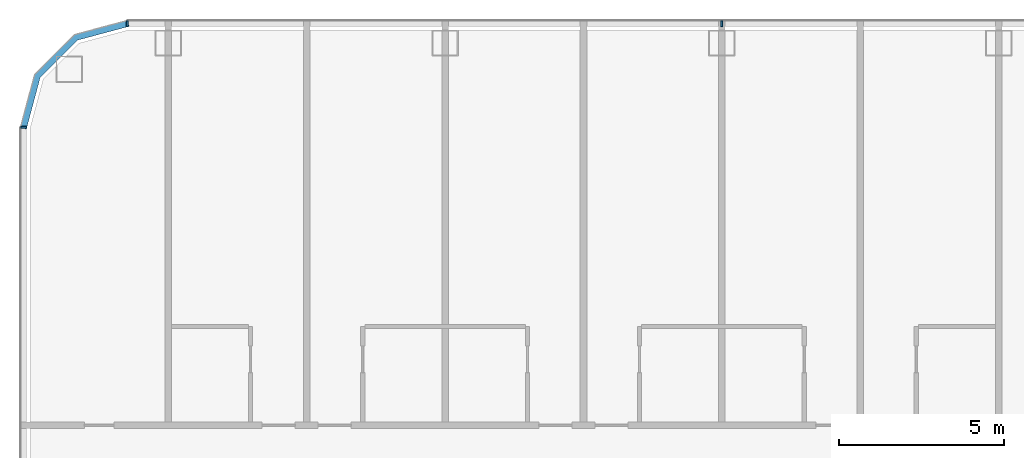
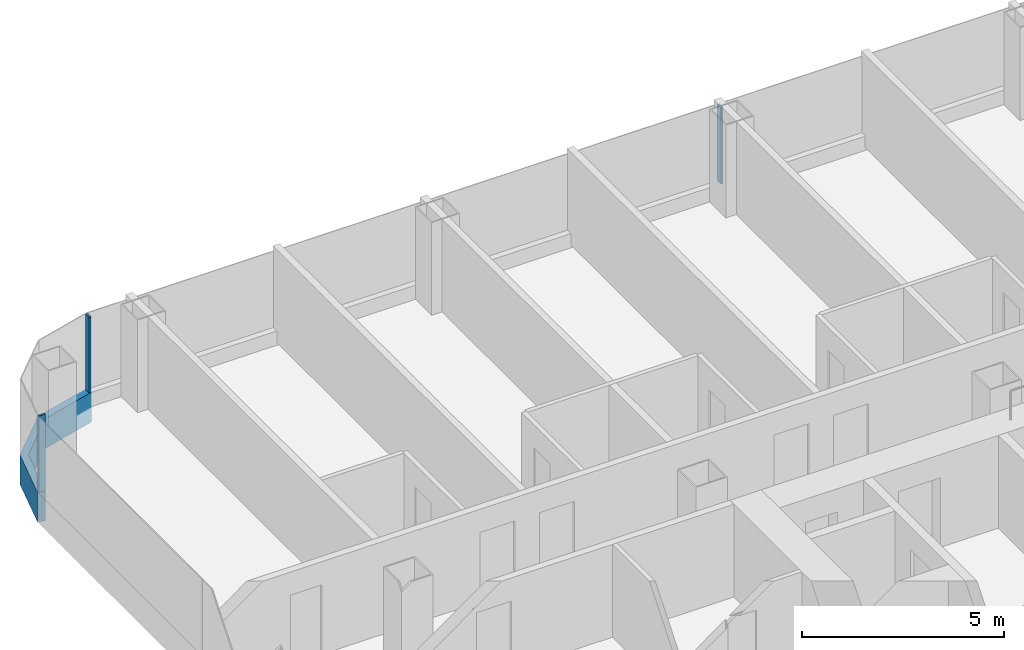
# One storey, part 7 of 29: 4 members, 3 elements without a shape of their own.
"""IFC4 building model written with IfcOpenShell, lengths in metres."""

import ifcopenshell
import ifcopenshell.guid

model = None  # the IFC model being written
_history = None  # IfcOwnerHistory: only IFC2X3 demands one
_inside = {}  # id of a spatial element -> (the spatial element, [elements in it])
_under = {}  # id of a project, library or spatial element -> (it, [spatial elements below it])
_declared = {}  # id of a project -> (the project, [libraries it declares])
_typed = {}  # id of a type object -> (the type object, [elements of that type])
_made_of = {}  # id of a material, layer set ... -> (it, [elements and type objects made of it])


def new_model(schema):
    """Start an empty IFC model of exactly this schema.

    Asked for "IFC4X3", IfcOpenShell would pick the latest addendum, in which some entities
    have other attributes; the version numbers below select the first issue.
    IFC2X3 requires an IfcOwnerHistory on every rooted entity: one is made here for all.
    """
    global model, _history
    if schema == "IFC4X3":
        model = ifcopenshell.file(schema_version=(4, 3, 0, 0))
    else:
        model = ifcopenshell.file(schema=schema)
    _inside.clear()
    _under.clear()
    _declared.clear()
    _typed.clear()
    _made_of.clear()
    _history = None
    if model.schema == "IFC2X3":
        org = make("IfcOrganization", Name="unknown")
        user = make(
            "IfcPersonAndOrganization",
            ThePerson=make("IfcPerson", FamilyName="unknown"),
            TheOrganization=org,
        )
        app = make(
            "IfcApplication",
            ApplicationDeveloper=org,
            Version="unknown",
            ApplicationFullName="unknown",
            ApplicationIdentifier="unknown",
        )
        _history = make(
            "IfcOwnerHistory",
            OwningUser=user,
            OwningApplication=app,
            ChangeAction="ADDED",
            CreationDate=0,
        )
    return model


def make(cls, **values):
    """One entity of the class cls with the attributes given. An attribute that is None is left unset."""
    return model.create_entity(
        cls, **{name: value for name, value in values.items() if value is not None}
    )


def rooted(cls, **values):
    """An entity with a GlobalId (a new one), such as an element, a storey or a relation."""
    return make(cls, GlobalId=ifcopenshell.guid.new(), OwnerHistory=_history, **values)


def si_unit(unit_type, name, prefix=None):
    """IfcSIUnit, for example si_unit("LENGTHUNIT", "METRE", prefix="MILLI")."""
    return make("IfcSIUnit", UnitType=unit_type, Prefix=prefix, Name=name)


def assignment(units):
    """IfcUnitAssignment: the units of a project."""
    return None if units is None else make("IfcUnitAssignment", Units=units)


def point(xyz):
    """IfcCartesianPoint."""
    return None if xyz is None else make("IfcCartesianPoint", Coordinates=xyz)


def direction(xyz):
    """IfcDirection."""
    return None if xyz is None else make("IfcDirection", DirectionRatios=xyz)


def frame(location, z_axis=None, x_axis=None):
    """IfcAxis2Placement3D, a coordinate frame: its origin and axes. An axis left out is left unset."""
    return make(
        "IfcAxis2Placement3D",
        Location=point(location),
        Axis=direction(z_axis),
        RefDirection=direction(x_axis),
    )


def frame_2d(location, x_axis=None):
    """IfcAxis2Placement2D, a coordinate frame in the plane: its origin and x axis."""
    return make(
        "IfcAxis2Placement2D", Location=point(location), RefDirection=direction(x_axis)
    )


def origin():
    """The frame at (0, 0, 0) with its axes left unset."""
    return frame((0.0, 0.0, 0.0))


def origin_2d():
    """The frame at (0, 0) in the plane with its x axis left unset."""
    return frame_2d((0.0, 0.0))


def place(relative_to, where):
    """IfcLocalPlacement: puts the frame where relative to a parent placement (None: the world)."""
    return make(
        "IfcLocalPlacement", PlacementRelTo=relative_to, RelativePlacement=where
    )


def context(
    kind, dimensions, precision=None, world=None, true_north=None, identifier=None
):
    """IfcGeometricRepresentationContext, for example the 3D "Model" context."""
    return make(
        "IfcGeometricRepresentationContext",
        ContextIdentifier=identifier,
        ContextType=kind,
        CoordinateSpaceDimension=dimensions,
        Precision=precision,
        WorldCoordinateSystem=world,
        TrueNorth=true_north,
    )


def subcontext(parent, identifier, kind, view, scale=None):
    """IfcGeometricRepresentationSubContext, for example "Body" below "Model"."""
    return make(
        "IfcGeometricRepresentationSubContext",
        ContextIdentifier=identifier,
        ContextType=kind,
        ParentContext=parent,
        TargetScale=scale,
        TargetView=view,
    )


def project(units=None, contexts=None):
    """IfcProject with its units and contexts."""
    return rooted(
        "IfcProject",
        Name="project",
        RepresentationContexts=contexts,
        UnitsInContext=assignment(units),
    )


def spatial(cls, under=None, at=None, **own):
    """A site, building, storey or space (cls), placed at a placement, below another one or the project."""
    s = rooted(cls, ObjectPlacement=at, **own)
    if under is not None:
        _under.setdefault(under.id(), (under, []))[1].append(s)
    return s


def polyline(points):
    """IfcPolyline through the points."""
    return make("IfcPolyline", Points=[point(p) for p in points])


def profile(cls, at=None, kind="AREA", **sizes):
    """A parametric profile (cls). Its sizes go by their IFC names, for example OverallWidth=200.0."""
    return make(cls, ProfileType=kind, Position=at, **sizes)


def rectangle(**sizes):
    """IfcRectangleProfileDef."""
    return profile("IfcRectangleProfileDef", **sizes)


def outline(outer, holes=None, kind="AREA"):
    """IfcArbitraryClosedProfileDef: a profile drawn as a closed curve; with holes, ...WithVoids."""
    if holes is None:
        return make("IfcArbitraryClosedProfileDef", ProfileType=kind, OuterCurve=outer)
    return make(
        "IfcArbitraryProfileDefWithVoids",
        ProfileType=kind,
        OuterCurve=outer,
        InnerCurves=holes,
    )


def extrude(swept, where, along, depth):
    """IfcExtrudedAreaSolid: the profile swept, set in the frame where, extruded along a direction by depth."""
    return make(
        "IfcExtrudedAreaSolid",
        SweptArea=swept,
        Position=where,
        ExtrudedDirection=direction(along),
        Depth=depth,
    )


def shape(context_of_items, identifier, shape_type, items):
    """IfcShapeRepresentation: the items that make up one representation, for example the "Body"."""
    return make(
        "IfcShapeRepresentation",
        ContextOfItems=context_of_items,
        RepresentationIdentifier=identifier,
        RepresentationType=shape_type,
        Items=items,
    )


def material(Name=None, Category=None):
    """IfcMaterial."""
    return make("IfcMaterial", Name=Name, Category=Category)


def layer(
    of_material, thickness, ventilated=None, Name=None, Category=None, Priority=None
):
    """IfcMaterialLayer: one layer of a wall or slab, of a material (None: an air gap)."""
    return make(
        "IfcMaterialLayer",
        Material=of_material,
        LayerThickness=thickness,
        IsVentilated=ventilated,
        Name=Name,
        Category=Category,
        Priority=Priority,
    )


def layer_set(layers, Name=None):
    """IfcMaterialLayerSet."""
    return make("IfcMaterialLayerSet", MaterialLayers=layers, LayerSetName=Name)


def material_profile(
    of_material, cross_section, Name=None, Category=None, Priority=None
):
    """IfcMaterialProfile: a cross section and its material."""
    return make(
        "IfcMaterialProfile",
        Name=Name,
        Material=of_material,
        Profile=cross_section,
        Priority=Priority,
        Category=Category,
    )


def profile_set(profiles, Name=None, composite=None):
    """IfcMaterialProfileSet."""
    return make(
        "IfcMaterialProfileSet",
        Name=Name,
        MaterialProfiles=profiles,
        CompositeProfile=composite,
    )


def made_of(thing, what):
    """Note that an element or type object is made of a material, layer set ...; save() writes the relation."""
    if what is not None:
        _made_of.setdefault(what.id(), (what, []))[1].append(thing)
    return thing


def type_object(cls, material=None, **own):
    """A type object (cls), such as IfcWallType, which elements share."""
    return made_of(rooted(cls, **own), material)


def element(
    cls,
    number,
    at=None,
    inside=None,
    cuts=None,
    type_object=None,
    material=None,
    context=None,
    identifier="Body",
    shape_type=None,
    held_by="IfcProductDefinitionShape",
    body=None,
    shapes=None,
    **own,
):
    """One element of the class cls, such as IfcWall. Its Tag is "e" and its number.

    at: its placement. inside: the storey or other place that contains it. cuts: it is an
    opening in that element (IfcRelVoidsElement). A single representation is given by context,
    identifier, shape_type and body (its items); several are given by shapes. held_by: the class
    of the entity that holds the representations. save() writes the other relations.
    """
    e = rooted(cls, Tag="e%d" % number, ObjectPlacement=at, **own)
    if body is not None:
        shapes = [shape(context, identifier, shape_type, body)]
    if shapes is not None:
        e.Representation = make(held_by, Representations=shapes)
    if inside is not None:
        _inside.setdefault(inside.id(), (inside, []))[1].append(e)
    if cuts is not None:
        rooted(
            "IfcRelVoidsElement", RelatingBuildingElement=cuts, RelatedOpeningElement=e
        )
    if type_object is not None:
        _typed.setdefault(type_object.id(), (type_object, []))[1].append(e)
    return made_of(e, material)


def aggregate(whole, parts):
    """IfcRelAggregates: a whole, such as a stair, and the parts it consists of."""
    return rooted("IfcRelAggregates", RelatingObject=whole, RelatedObjects=parts)


def save(model, path):
    """Write the relations noted so far, then the file.

    IfcRelAggregates (storeys below a building ...), IfcRelContainedInSpatialStructure (elements
    in a storey), IfcRelDefinesByType, IfcRelAssociatesMaterial and IfcRelDeclares: one each for
    every whole, place, type object, material and project.
    """
    for whole, parts in _under.values():
        aggregate(whole, parts)
    for where, things in _inside.values():
        rooted(
            "IfcRelContainedInSpatialStructure",
            RelatedElements=things,
            RelatingStructure=where,
        )
    for kind, things in _typed.values():
        rooted("IfcRelDefinesByType", RelatedObjects=things, RelatingType=kind)
    for what, things in _made_of.values():
        rooted("IfcRelAssociatesMaterial", RelatedObjects=things, RelatingMaterial=what)
    for by, libraries in _declared.values():
        rooted("IfcRelDeclares", RelatingContext=by, RelatedDefinitions=libraries)
    model.write(path)


model = new_model("IFC4")

# Units and contexts
model_context = context("Model", 3, precision=1e-05, world=origin(), true_north=direction((0.0, 1.0)))
body_context = subcontext(model_context, "Body", "Model", "MODEL_VIEW")
ifc_project = project(units=[si_unit("LENGTHUNIT", "METRE"), si_unit("AREAUNIT", "SQUARE_METRE"), si_unit("VOLUMEUNIT", "CUBIC_METRE"), si_unit("PLANEANGLEUNIT", "RADIAN"), si_unit("MASSUNIT", "GRAM", prefix="KILO")], contexts=[model_context])

# Site, building, storey
site_placement = place(None, origin())
site = spatial("IfcSite", under=ifc_project, at=site_placement, CompositionType="ELEMENT")
building_placement = place(site_placement, origin())
building = spatial("IfcBuilding", under=site, at=building_placement, Name="Hakoniwa Tower and Hamabe Station Hall", CompositionType="ELEMENT")
storey_placement = place(building_placement, frame((0.0, 0.0, 110.60009765625)))
storey = spatial("IfcBuildingStorey", under=building, at=storey_placement, Name="L31", CompositionType="ELEMENT", Elevation=110.60009765625)

# Curtain wall, member
ifc_material_1 = material(Name="Dark low-e laminated glass", Category="glass")
ifc_layer = layer(ifc_material_1, 0.199951171875)
ifc_layer_set = layer_set([ifc_layer], Name="CW-1 UNITISED GUEST")
curtain_wall_type = type_object("IfcCurtainWallType", Name="CW-1 UNITISED GUEST", PredefinedType="NOTDEFINED", material=ifc_layer_set)
curtain_wall_1_placement = place(storey_placement, origin())
curtain_wall_1 = element("IfcCurtainWall", 1, at=curtain_wall_1_placement, inside=storey, type_object=curtain_wall_type, Name="CW-1 curtain wall", PredefinedType="NOTDEFINED")
ifc_material_2 = material(Name="Aluminium 6063-T5 black anodised", Category="aluminium")
ifc_material_profile_1 = material_profile(ifc_material_2, rectangle(XDim=0.199951171875, YDim=0.89990234375, at=origin_2d()), Name="CW SLAB-EDGE BAND 900X200")
ifc_profile_set_1 = profile_set([ifc_material_profile_1], Name="Aluminium 6063-T5 black anodised")
member_type_1 = type_object("IfcMemberType", Name="CW SLAB-EDGE BAND 900X200", PredefinedType="USERDEFINED", material=ifc_profile_set_1)
member_1_placement = place(storey_placement, frame((0.0, 0.0, -0.550048828125)))
member_1 = element("IfcMember", 2, at=member_1_placement, type_object=member_type_1, Name="CW-1 transom", ObjectType="TRANSOM", PredefinedType="USERDEFINED", context=body_context, shape_type="SweptSolid", body=[
    extrude(outline(polyline([(-43.239501953125, 23.550048828125), (-44.855224609375, 23.116943359375), (-46.067138671875, 21.9052734375), (-46.5, 20.28955078125), (-46.306884765625, 20.23779296875), (-45.8876953125, 21.8017578125), (-44.751708984375, 22.937744140625), (-43.187744140625, 23.35693359375), (-43.239501953125, 23.550048828125)])), origin(), (0.0, 0.0, 1.0), 0.89990234375),
])
aggregate(curtain_wall_1, [member_1])

# Curtain wall, members
curtain_wall_2_placement = place(storey_placement, origin())
curtain_wall_2 = element("IfcCurtainWall", 3, at=curtain_wall_2_placement, inside=storey, type_object=curtain_wall_type, Name="CW-1 curtain wall", PredefinedType="NOTDEFINED")
ifc_material_3 = material(Name="Aluminium 6063-T5 black anodised", Category="aluminium")
ifc_material_profile_2 = material_profile(ifc_material_3, rectangle(XDim=0.06005859375, YDim=0.179931640625, at=origin_2d()), Name="CW-1 MULLION 60X180")
ifc_profile_set_2 = profile_set([ifc_material_profile_2], Name="Aluminium 6063-T5 black anodised")
member_type_2 = type_object("IfcMemberType", Name="CW-1 MULLION 60X180", PredefinedType="MULLION", material=ifc_profile_set_2)
member_2_placement = place(storey_placement, frame((-25.199951171875, 23.431884765625, 0.349853515625), z_axis=(0.0, 0.0, 1.0), x_axis=(-1.0, 0.0, 0.0)))
member_2 = element("IfcMember", 4, at=member_2_placement, type_object=member_type_2, Name="CW-1 mullion", PredefinedType="MULLION", context=body_context, shape_type="SweptSolid", body=[
    extrude(rectangle(XDim=0.06005859375, YDim=0.179931640625, at=origin_2d()), origin(), (0.0, 0.0, 1.0), 2.300048828125),
])
member_3_placement = place(storey_placement, frame((-43.239501953125, 23.431884765625, 0.349853515625), z_axis=(0.0, 0.0, 1.0), x_axis=(-1.0, 0.0, 0.0)))
member_3 = element("IfcMember", 5, at=member_3_placement, type_object=member_type_2, Name="CW-1 mullion", PredefinedType="MULLION", context=body_context, shape_type="SweptSolid", body=[
    extrude(rectangle(XDim=0.06005859375, YDim=0.179931640625, at=origin_2d()), origin(), (0.0, 0.0, 1.0), 2.300048828125),
])
aggregate(curtain_wall_2, [member_2, member_3])

# Curtain wall, member
curtain_wall_3_placement = place(storey_placement, origin())
curtain_wall_3 = element("IfcCurtainWall", 6, at=curtain_wall_3_placement, inside=storey, type_object=curtain_wall_type, Name="CW-1 curtain wall", PredefinedType="NOTDEFINED")
member_4_placement = place(storey_placement, frame((-46.382080078125, 20.28955078125, 0.349853515625), z_axis=(0.0, 0.0, 1.0), x_axis=(0.0, -1.0, 0.0)))
member_4 = element("IfcMember", 7, at=member_4_placement, type_object=member_type_2, Name="CW-1 mullion", PredefinedType="MULLION", context=body_context, shape_type="SweptSolid", body=[
    extrude(rectangle(XDim=0.06005859375, YDim=0.179931640625, at=origin_2d()), origin(), (0.0, 0.0, 1.0), 2.300048828125),
])
aggregate(curtain_wall_3, [member_4])

save(model, "model.ifc")
